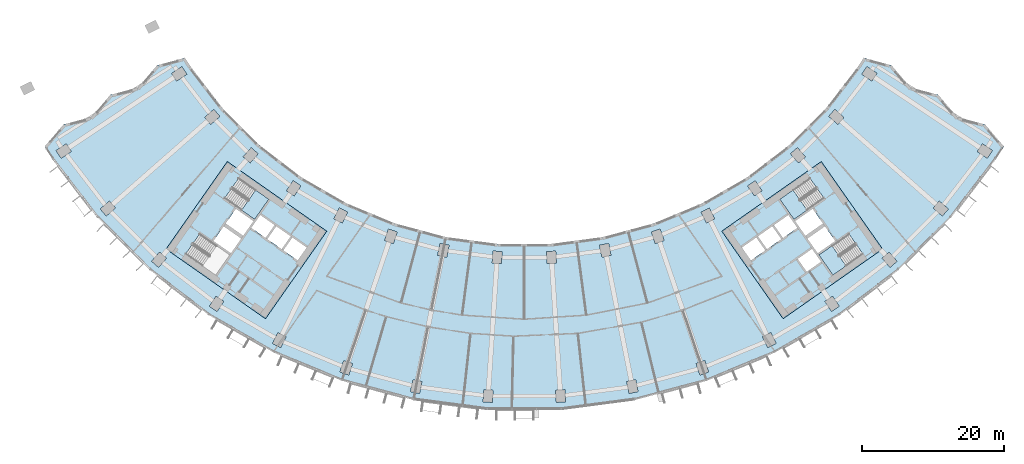
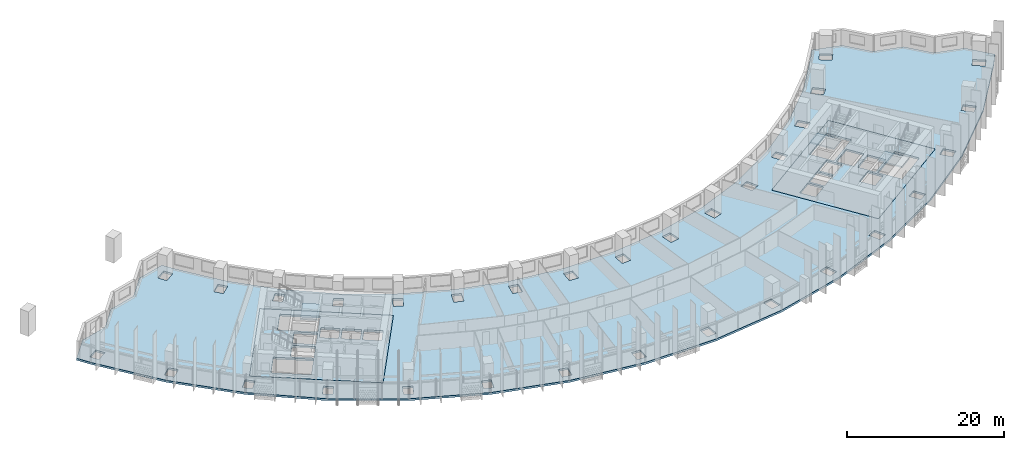
# One storey, part 2 of 31: 6 slabs, 3 elements without a shape of their own.
"""IFC4 building model written with IfcOpenShell, lengths in metres."""

from ifc_helpers import new_model, si_unit, direction, frame, origin, place, context, subcontext, project, spatial, polyline, outline, extrude, material, layer, layer_set, type_object, element, aggregate, save


model = new_model("IFC4")

# Units and contexts
model_context = context("Model", 3, precision=1e-05, world=origin(), true_north=direction((0.0, 1.0)))
body_context = subcontext(model_context, "Body", "Model", "MODEL_VIEW")
ifc_project = project(units=[si_unit("LENGTHUNIT", "METRE"), si_unit("AREAUNIT", "SQUARE_METRE"), si_unit("VOLUMEUNIT", "CUBIC_METRE"), si_unit("PLANEANGLEUNIT", "RADIAN"), si_unit("MASSUNIT", "GRAM", prefix="KILO")], contexts=[model_context])

# Site, building, storey
site_placement = place(None, origin())
site = spatial("IfcSite", under=ifc_project, at=site_placement, CompositionType="ELEMENT")
building_placement = place(site_placement, origin())
building = spatial("IfcBuilding", under=site, at=building_placement, Name="Qamariyya Broadcast Tower", CompositionType="ELEMENT")
storey_placement = place(building_placement, frame((0.0, 0.0, 48.10009765625)))
storey = spatial("IfcBuildingStorey", under=building, at=storey_placement, Name="L08", CompositionType="ELEMENT", Elevation=48.10009765625)

# Slabs
ifc_material_1 = material(Name="Concrete C40/50", Category="concrete")
ifc_layer_1 = layer(ifc_material_1, 0.300048828125)
ifc_layer_set_1 = layer_set([ifc_layer_1], Name="Core floor slab 300 mm Concrete C40/50")
slab_type_1 = type_object("IfcSlabType", Name="Core floor slab 300 mm Concrete C40/50", PredefinedType="FLOOR", material=ifc_layer_set_1)
slab_1_placement = place(storey_placement, frame((0.0, 0.0, -0.300048828125)))
element("IfcSlab", 1, at=slab_1_placement, inside=storey, type_object=slab_type_1, Name="k-W-L08-slab", PredefinedType="FLOOR", context=body_context, shape_type="SweptSolid", body=[
    extrude(outline(polyline([(-50.286376953125, -56.95751953125), (-36.32373046875, -66.734375), (-27.719970703125, -54.447021484375), (-41.6826171875, -44.67041015625), (-50.286376953125, -56.95751953125)]), holes=[polyline([(-31.80859375, -58.542724609375), (-33.8154296875, -57.137451171875), (-32.5537109375, -55.335205078125), (-30.546630859375, -56.740478515625), (-31.80859375, -58.542724609375)]), polyline([(-34.061279296875, -56.96533203125), (-36.068115234375, -55.56005859375), (-34.806396484375, -53.758056640625), (-32.79931640625, -55.163330078125), (-34.061279296875, -56.96533203125)]), polyline([(-36.31396484375, -55.387939453125), (-38.32080078125, -53.982666015625), (-37.058837890625, -52.1806640625), (-35.052001953125, -53.5859375), (-36.31396484375, -55.387939453125)]), polyline([(-39.742431640625, -55.489990234375), (-42.199951171875, -53.769287109375), (-43.6337890625, -55.817138671875), (-41.17626953125, -57.537841796875), (-39.742431640625, -55.489990234375)]), polyline([(-39.45556640625, -55.080322265625), (-41.9130859375, -53.359619140625), (-40.47900390625, -51.311767578125), (-38.021728515625, -53.032470703125), (-39.45556640625, -55.080322265625)]), polyline([(-42.06103515625, -49.837890625), (-37.849609375, -52.78662109375), (-35.870849609375, -49.960693359375), (-40.082275390625, -47.01171875), (-42.06103515625, -49.837890625)]), polyline([(-47.538818359375, -57.66064453125), (-43.3271484375, -60.609619140625), (-41.348388671875, -57.783447265625), (-45.559814453125, -54.834716796875), (-47.538818359375, -57.66064453125)])]), origin(), (0.0, 0.0, 1.0), 0.300048828125),
])
slab_2_placement = place(storey_placement, frame((0.0, 0.0, -0.300048828125)))
element("IfcSlab", 2, at=slab_2_placement, inside=storey, type_object=slab_type_1, Name="k-E-L08-slab", PredefinedType="FLOOR", context=body_context, shape_type="SweptSolid", body=[
    extrude(outline(polyline([(36.32373046875, -66.734375), (50.286376953125, -56.95751953125), (41.6826171875, -44.67041015625), (27.719970703125, -54.447021484375), (36.32373046875, -66.734375)]), holes=[polyline([(31.80859375, -58.542724609375), (33.8154296875, -57.137451171875), (32.5537109375, -55.335205078125), (30.546630859375, -56.740478515625), (31.80859375, -58.542724609375)]), polyline([(34.061279296875, -56.96533203125), (36.068115234375, -55.56005859375), (34.806396484375, -53.758056640625), (32.79931640625, -55.163330078125), (34.061279296875, -56.96533203125)]), polyline([(36.31396484375, -55.387939453125), (38.32080078125, -53.982666015625), (37.058837890625, -52.1806640625), (35.052001953125, -53.5859375), (36.31396484375, -55.387939453125)]), polyline([(38.378662109375, -58.3369140625), (40.3857421875, -56.931640625), (41.6474609375, -58.73388671875), (39.640625, -60.13916015625), (38.378662109375, -58.3369140625)]), polyline([(39.742431640625, -55.489990234375), (42.199951171875, -53.769287109375), (43.6337890625, -55.817138671875), (41.17626953125, -57.537841796875), (39.742431640625, -55.489990234375)]), polyline([(39.45556640625, -55.080322265625), (41.9130859375, -53.359619140625), (40.47900390625, -51.311767578125), (38.021728515625, -53.032470703125), (39.45556640625, -55.080322265625)]), polyline([(40.082275390625, -47.01171875), (35.870849609375, -49.960693359375), (37.849609375, -52.78662109375), (42.06103515625, -49.837890625), (40.082275390625, -47.01171875)]), polyline([(45.559814453125, -54.834716796875), (41.348388671875, -57.783447265625), (43.3271484375, -60.609619140625), (47.538818359375, -57.66064453125), (45.559814453125, -54.834716796875)])]), origin(), (0.0, 0.0, 1.0), 0.300048828125),
])
ifc_layer_2 = layer(ifc_material_1, 0.300048828125)
ifc_layer_set_2 = layer_set([ifc_layer_2], Name="Post-tensioned floor slab 300 C40/50")
slab_type_2 = type_object("IfcSlabType", Name="Post-tensioned floor slab 300 C40/50", PredefinedType="FLOOR", material=ifc_layer_set_2)
slab_3_placement = place(storey_placement, frame((0.0, 0.0, -0.300048828125)))
element("IfcSlab", 3, at=slab_3_placement, inside=storey, type_object=slab_type_2, Name="Floor slab S4 L08", PredefinedType="FLOOR", context=body_context, shape_type="SweptSolid", body=[
    extrude(outline(polyline([(-64.677734375, -39.463623046875), (-67.3271484375, -42.557861328125), (-66.2265625, -44.251220703125), (-59.884033203125, -52.516845703125), (-52.516845703125, -59.884033203125), (-44.251220703125, -66.2265625), (-35.228271484375, -71.43603515625), (-25.6025390625, -75.423095703125), (-15.5390625, -78.11962890625), (-5.20947265625, -79.4794921875), (5.20947265625, -79.4794921875), (15.5390625, -78.11962890625), (25.6025390625, -75.423095703125), (35.228271484375, -71.43603515625), (44.251220703125, -66.2265625), (52.516845703125, -59.884033203125), (59.884033203125, -52.516845703125), (66.2265625, -44.251220703125), (67.3271484375, -42.557861328125), (64.677734375, -39.463623046875), (60.76220703125, -38.408203125), (58.11181640625, -35.313232421875), (54.197021484375, -34.25830078125), (51.54541015625, -31.16259765625), (47.632080078125, -30.1083984375), (46.853271484375, -31.306396484375), (42.3662109375, -37.154052734375), (37.154052734375, -42.3662109375), (31.306396484375, -46.853271484375), (24.9228515625, -50.538818359375), (18.113037109375, -53.359619140625), (10.993408203125, -55.267333984375), (3.685546875, -56.229248046875), (-3.685546875, -56.229248046875), (-10.993408203125, -55.267333984375), (-18.113037109375, -53.359619140625), (-24.9228515625, -50.538818359375), (-31.306396484375, -46.853271484375), (-37.154052734375, -42.3662109375), (-42.3662109375, -37.154052734375), (-46.853271484375, -31.306396484375), (-47.632080078125, -30.1083984375), (-51.54541015625, -31.16259765625), (-54.197021484375, -34.25830078125), (-58.11181640625, -35.313232421875), (-60.76220703125, -38.408203125), (-64.677734375, -39.463623046875)]), holes=[polyline([(-5.789306640625, -78.38916015625), (-5.67822265625, -76.69287109375), (-4.380859375, -76.77783203125), (-4.4921875, -78.47412109375), (-5.789306640625, -78.38916015625)]), polyline([(-15.9716796875, -76.962890625), (-15.639892578125, -75.295654296875), (-14.364990234375, -75.54931640625), (-14.696533203125, -77.216552734375), (-15.9716796875, -76.962890625)]), polyline([(-25.880615234375, -74.2197265625), (-25.334228515625, -72.610107421875), (-24.103271484375, -73.02783203125), (-24.649658203125, -74.6376953125), (-25.880615234375, -74.2197265625)]), polyline([(-35.346923828125, -70.206787109375), (-34.594970703125, -68.68212890625), (-33.428955078125, -69.257080078125), (-34.180908203125, -70.78173828125), (-35.346923828125, -70.206787109375)]), polyline([(-44.208251953125, -64.992431640625), (-43.263916015625, -63.578857421875), (-42.182861328125, -64.301025390625), (-43.12744140625, -65.714599609375), (-44.208251953125, -64.992431640625)]), polyline([(-52.313232421875, -58.666015625), (-51.1923828125, -57.387939453125), (-50.215087890625, -58.2451171875), (-51.3359375, -59.523193359375), (-52.313232421875, -58.666015625)]), polyline([(-12.167236328125, -57.837646484375), (-11.835693359375, -56.170166015625), (-10.560791015625, -56.423828125), (-10.892333984375, -58.09130859375), (-12.167236328125, -57.837646484375)]), polyline([(-41.6826171875, -44.67041015625), (-27.719970703125, -54.447021484375), (-36.32373046875, -66.734375), (-50.286376953125, -56.95751953125), (-41.6826171875, -44.67041015625)]), polyline([(-19.066162109375, -54.144775390625), (-17.835205078125, -54.562744140625), (-18.381591796875, -56.172607421875), (-19.612548828125, -55.754638671875), (-19.066162109375, -54.144775390625)]), polyline([(-26.72216796875, -52.7177734375), (-25.970458984375, -51.193115234375), (-24.804443359375, -51.76806640625), (-25.556396484375, -53.292724609375), (-26.72216796875, -52.7177734375)]), polyline([(-59.523193359375, -51.3359375), (-58.2451171875, -50.215087890625), (-57.387939453125, -51.1923828125), (-58.666015625, -52.313232421875), (-59.523193359375, -51.3359375)]), polyline([(-33.374755859375, -48.77880859375), (-32.43017578125, -47.365234375), (-31.349365234375, -48.08740234375), (-32.293701171875, -49.5009765625), (-33.374755859375, -48.77880859375)]), polyline([(-39.4560546875, -44.005126953125), (-38.335205078125, -42.72705078125), (-37.357666015625, -43.584228515625), (-38.478759765625, -44.8623046875), (-39.4560546875, -44.005126953125)]), polyline([(-65.714599609375, -43.12744140625), (-64.301025390625, -42.182861328125), (-63.578857421875, -43.263916015625), (-64.992431640625, -44.208251953125), (-65.714599609375, -43.12744140625)]), polyline([(-44.8623046875, -38.478759765625), (-43.584228515625, -37.357666015625), (-42.72705078125, -38.335205078125), (-44.005126953125, -39.4560546875), (-44.8623046875, -38.478759765625)]), polyline([(-48.08740234375, -31.349365234375), (-47.365234375, -32.43017578125), (-48.77880859375, -33.374755859375), (-49.5009765625, -32.293701171875), (-48.08740234375, -31.349365234375)]), polyline([(4.4921875, -78.47412109375), (4.380859375, -76.77783203125), (5.67822265625, -76.69287109375), (5.789306640625, -78.38916015625), (4.4921875, -78.47412109375)]), polyline([(14.696533203125, -77.216552734375), (14.364990234375, -75.54931640625), (15.639892578125, -75.295654296875), (15.9716796875, -76.962890625), (14.696533203125, -77.216552734375)]), polyline([(24.649658203125, -74.6376953125), (24.103271484375, -73.02783203125), (25.334228515625, -72.610107421875), (25.880615234375, -74.2197265625), (24.649658203125, -74.6376953125)]), polyline([(34.180908203125, -70.78173828125), (33.428955078125, -69.257080078125), (34.594970703125, -68.68212890625), (35.346923828125, -70.206787109375), (34.180908203125, -70.78173828125)]), polyline([(43.12744140625, -65.714599609375), (42.182861328125, -64.301025390625), (43.263916015625, -63.578857421875), (44.208251953125, -64.992431640625), (43.12744140625, -65.714599609375)]), polyline([(51.3359375, -59.523193359375), (50.215087890625, -58.2451171875), (51.1923828125, -57.387939453125), (52.313232421875, -58.666015625), (51.3359375, -59.523193359375)]), polyline([(3.216796875, -59.015869140625), (3.10546875, -57.319580078125), (4.40283203125, -57.234619140625), (4.513916015625, -58.930908203125), (3.216796875, -59.015869140625)]), polyline([(-4.40283203125, -57.234619140625), (-3.10546875, -57.319580078125), (-3.216796875, -59.015869140625), (-4.513916015625, -58.930908203125), (-4.40283203125, -57.234619140625)]), polyline([(10.560791015625, -56.423828125), (11.835693359375, -56.170166015625), (12.167236328125, -57.837646484375), (10.892333984375, -58.09130859375), (10.560791015625, -56.423828125)]), polyline([(36.32373046875, -66.734375), (27.719970703125, -54.447021484375), (41.6826171875, -44.67041015625), (50.286376953125, -56.95751953125), (36.32373046875, -66.734375)]), polyline([(18.381591796875, -56.172607421875), (17.835205078125, -54.562744140625), (19.066162109375, -54.144775390625), (19.612548828125, -55.754638671875), (18.381591796875, -56.172607421875)]), polyline([(25.556396484375, -53.292724609375), (24.804443359375, -51.76806640625), (25.970458984375, -51.193115234375), (26.72216796875, -52.7177734375), (25.556396484375, -53.292724609375)]), polyline([(58.666015625, -52.313232421875), (57.387939453125, -51.1923828125), (58.2451171875, -50.215087890625), (59.523193359375, -51.3359375), (58.666015625, -52.313232421875)]), polyline([(32.293701171875, -49.5009765625), (31.349365234375, -48.08740234375), (32.43017578125, -47.365234375), (33.374755859375, -48.77880859375), (32.293701171875, -49.5009765625)]), polyline([(38.478759765625, -44.8623046875), (37.357666015625, -43.584228515625), (38.335205078125, -42.72705078125), (39.4560546875, -44.005126953125), (38.478759765625, -44.8623046875)]), polyline([(64.992431640625, -44.208251953125), (63.578857421875, -43.263916015625), (64.301025390625, -42.182861328125), (65.714599609375, -43.12744140625), (64.992431640625, -44.208251953125)]), polyline([(42.72705078125, -38.335205078125), (43.584228515625, -37.357666015625), (44.8623046875, -38.478759765625), (44.005126953125, -39.4560546875), (42.72705078125, -38.335205078125)]), polyline([(47.365234375, -32.43017578125), (48.08740234375, -31.349365234375), (49.5009765625, -32.293701171875), (48.77880859375, -33.374755859375), (47.365234375, -32.43017578125)])]), origin(), (0.0, 0.0, 1.0), 0.300048828125),
])

# Stair, slab
ifc_material_2 = material(Name="Concrete C50/60", Category="concrete")
stair_type = type_object("IfcStairType", Name="Exit stair 22 risers of 173 mm", PredefinedType="HALF_TURN_STAIR", material=ifc_material_2)
stair_1_placement = place(storey_placement, origin())
stair_1 = element("IfcStair", 4, at=stair_1_placement, inside=storey, type_object=stair_type, Name="L08 Stair W2", PredefinedType="HALF_TURN_STAIR")
ifc_layer_3 = layer(ifc_material_2, 0.199951171875)
ifc_layer_set_3 = layer_set([ifc_layer_3], Name="Stair landing")
slab_type_3 = type_object("IfcSlabType", Name="Stair landing", PredefinedType="LANDING", material=ifc_layer_set_3)
slab_4_placement = place(storey_placement, frame((0.0, 0.0, 1.699951171875)))
slab_4 = element("IfcSlab", 5, at=slab_4_placement, type_object=slab_type_3, Name="ST-W2 landing 1", PredefinedType="LANDING", context=body_context, shape_type="SweptSolid", body=[
    extrude(outline(polyline([(-39.692138671875, -51.49658203125), (-37.849609375, -52.78662109375), (-35.870849609375, -49.960693359375), (-37.71337890625, -48.67041015625), (-39.692138671875, -51.49658203125)])), origin(), (0.0, 0.0, 1.0), 0.199951171875),
])
aggregate(stair_1, [slab_4])

stair_2_placement = place(storey_placement, origin())
stair_2 = element("IfcStair", 6, at=stair_2_placement, inside=storey, type_object=stair_type, Name="L08 Stair E2", PredefinedType="HALF_TURN_STAIR")
slab_5_placement = place(storey_placement, frame((0.0, 0.0, 1.699951171875)))
slab_5 = element("IfcSlab", 7, at=slab_5_placement, type_object=slab_type_3, Name="ST-E2 landing 1", PredefinedType="LANDING", context=body_context, shape_type="SweptSolid", body=[
    extrude(outline(polyline([(37.71337890625, -48.67041015625), (35.870849609375, -49.960693359375), (37.849609375, -52.78662109375), (39.692138671875, -51.49658203125), (37.71337890625, -48.67041015625)])), origin(), (0.0, 0.0, 1.0), 0.199951171875),
])
aggregate(stair_2, [slab_5])

stair_3_placement = place(storey_placement, origin())
stair_3 = element("IfcStair", 8, at=stair_3_placement, inside=storey, type_object=stair_type, Name="L08 Stair E1", PredefinedType="HALF_TURN_STAIR")
slab_6_placement = place(storey_placement, frame((0.0, 0.0, 1.699951171875)))
slab_6 = element("IfcSlab", 9, at=slab_6_placement, type_object=slab_type_3, Name="ST-E1 landing 1", PredefinedType="LANDING", context=body_context, shape_type="SweptSolid", body=[
    extrude(outline(polyline([(43.19091796875, -56.493408203125), (41.348388671875, -57.783447265625), (43.3271484375, -60.609619140625), (45.169677734375, -59.319580078125), (43.19091796875, -56.493408203125)])), origin(), (0.0, 0.0, 1.0), 0.199951171875),
])
aggregate(stair_3, [slab_6])

save(model, "model.ifc")
